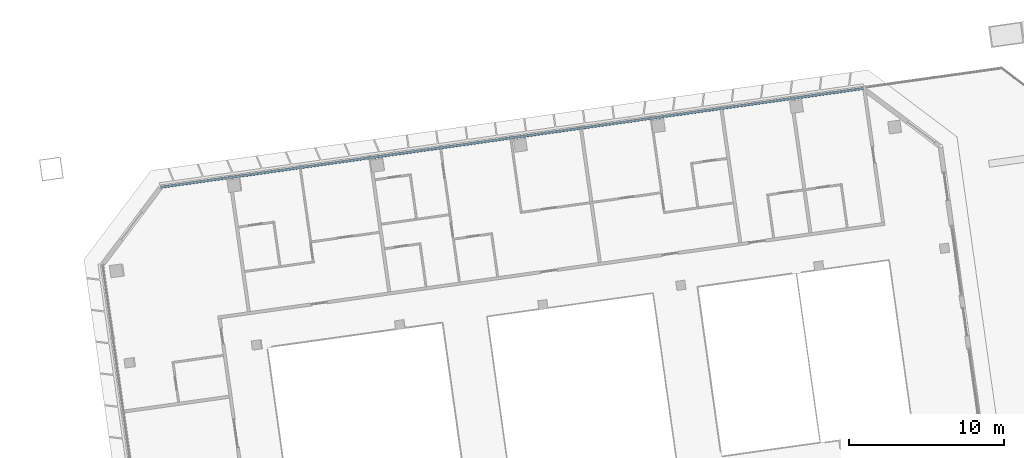
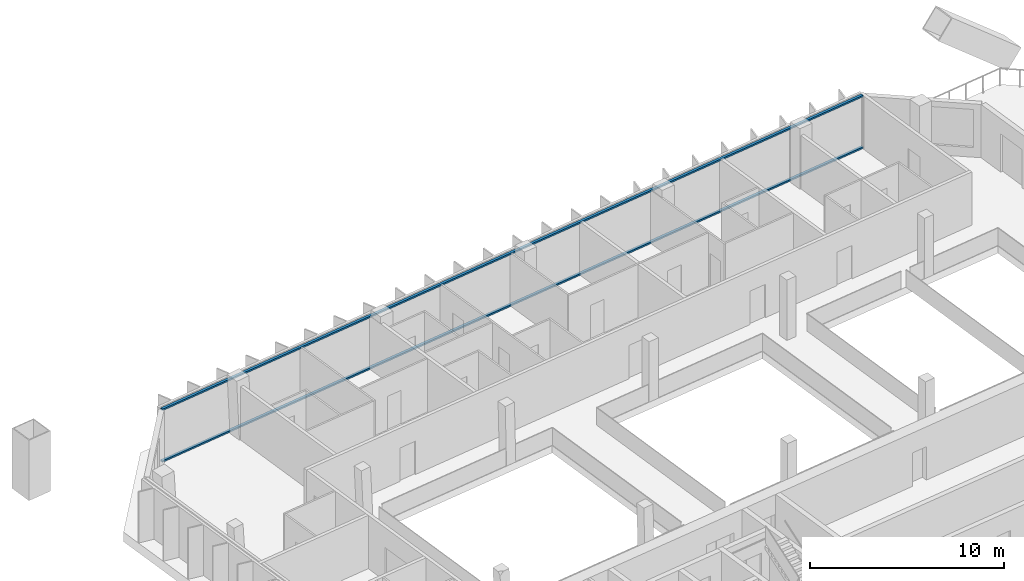
# One storey, part 10 of 23: 2 members, 1 element without a shape of its own.
"""IFC4 building model written with IfcOpenShell, lengths in metres."""

from ifc_helpers import new_model, si_unit, direction, frame, origin, origin_2d, place, context, subcontext, project, spatial, rectangle, extrude, material, material_profile, profile_set, type_object, element, aggregate, save


model = new_model("IFC4")

# Units and contexts
model_context = context("Model", 3, precision=1e-05, world=origin(), true_north=direction((0.0, 1.0)))
body_context = subcontext(model_context, "Body", "Model", "MODEL_VIEW")
ifc_project = project(units=[si_unit("LENGTHUNIT", "METRE"), si_unit("AREAUNIT", "SQUARE_METRE"), si_unit("VOLUMEUNIT", "CUBIC_METRE"), si_unit("PLANEANGLEUNIT", "RADIAN"), si_unit("MASSUNIT", "GRAM", prefix="KILO")], contexts=[model_context])

# Site, building, storey
site_placement = place(None, origin())
site = spatial("IfcSite", under=ifc_project, at=site_placement, CompositionType="ELEMENT")
building_placement = place(site_placement, origin())
building = spatial("IfcBuilding", under=site, at=building_placement, Name="Mirante Cascada Hotel Towers", CompositionType="ELEMENT")
storey_placement = place(building_placement, frame((0.0, 0.0, 180.2)))
storey = spatial("IfcBuildingStorey", under=building, at=storey_placement, Name="L42", CompositionType="ELEMENT", Elevation=180.2)

# Curtain wall, members
ifc_material_1 = material(Name="Aluminium mullion and transom frame with clear laminated glass", Category="aluminium")
curtain_wall_type = type_object("IfcCurtainWallType", Name="Ribbon curtain wall ECW1", PredefinedType="NOTDEFINED", material=ifc_material_1)
curtain_wall_placement = place(storey_placement, origin())
curtain_wall = element("IfcCurtainWall", 1, at=curtain_wall_placement, inside=storey, type_object=curtain_wall_type, Name="Front ribbon wall T2 L42", PredefinedType="NOTDEFINED")
ifc_material_2 = material(Name="Anodised aluminium extrusion", Category="aluminium")
ifc_material_profile = material_profile(ifc_material_2, rectangle(XDim=0.16, YDim=0.1, at=origin_2d()), Name="ECW1 TRANSOM 100x160")
ifc_profile_set = profile_set([ifc_material_profile], Name="Anodised aluminium extrusion")
member_type = type_object("IfcMemberType", Name="ECW1 transom 100x160", PredefinedType="USERDEFINED", material=ifc_profile_set)
member_1_placement = place(storey_placement, frame((76.3333, 23.547, 0.05), z_axis=(-0.9902679, -0.1391745, 0.0), x_axis=(0.1391745, -0.9902679, 0.0)))
member_1 = element("IfcMember", 2, at=member_1_placement, type_object=member_type, Name="ECW1 sill transom", ObjectType="TRANSOM", PredefinedType="USERDEFINED", context=body_context, shape_type="SweptSolid", body=[
    extrude(rectangle(XDim=0.16, YDim=0.1, at=origin_2d()), origin(), (0.0, 0.0, 1.0), 45.8238),
])
member_2_placement = place(storey_placement, frame((76.3333, 23.547, 3.3), z_axis=(-0.9902679, -0.1391745, 0.0), x_axis=(0.1391745, -0.9902679, 0.0)))
member_2 = element("IfcMember", 3, at=member_2_placement, type_object=member_type, Name="ECW1 head transom", ObjectType="TRANSOM", PredefinedType="USERDEFINED", context=body_context, shape_type="SweptSolid", body=[
    extrude(rectangle(XDim=0.16, YDim=0.1, at=origin_2d()), origin(), (0.0, 0.0, 1.0), 45.8238),
])
aggregate(curtain_wall, [member_1, member_2])

save(model, "model.ifc")
